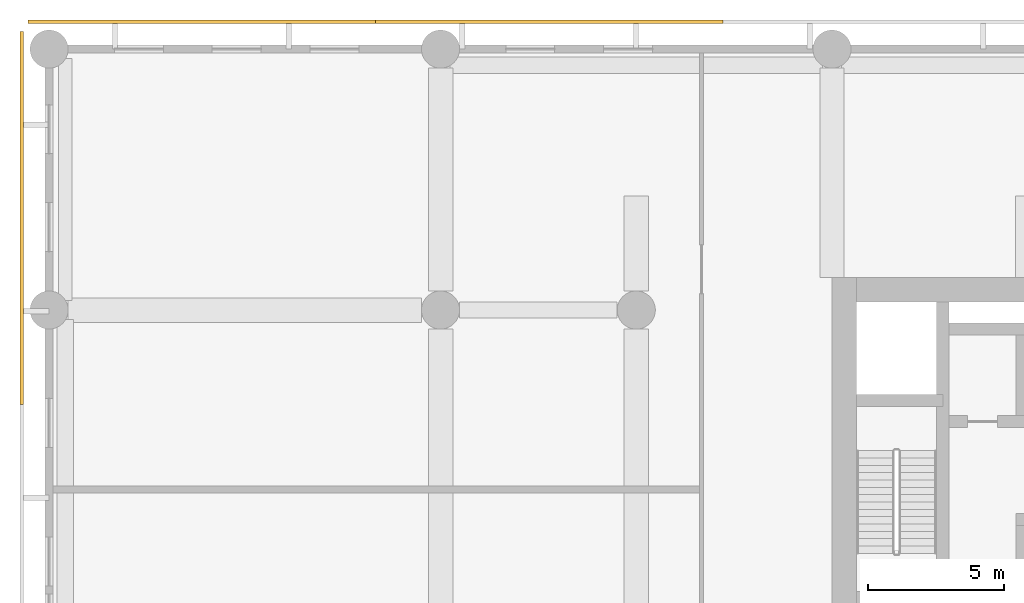
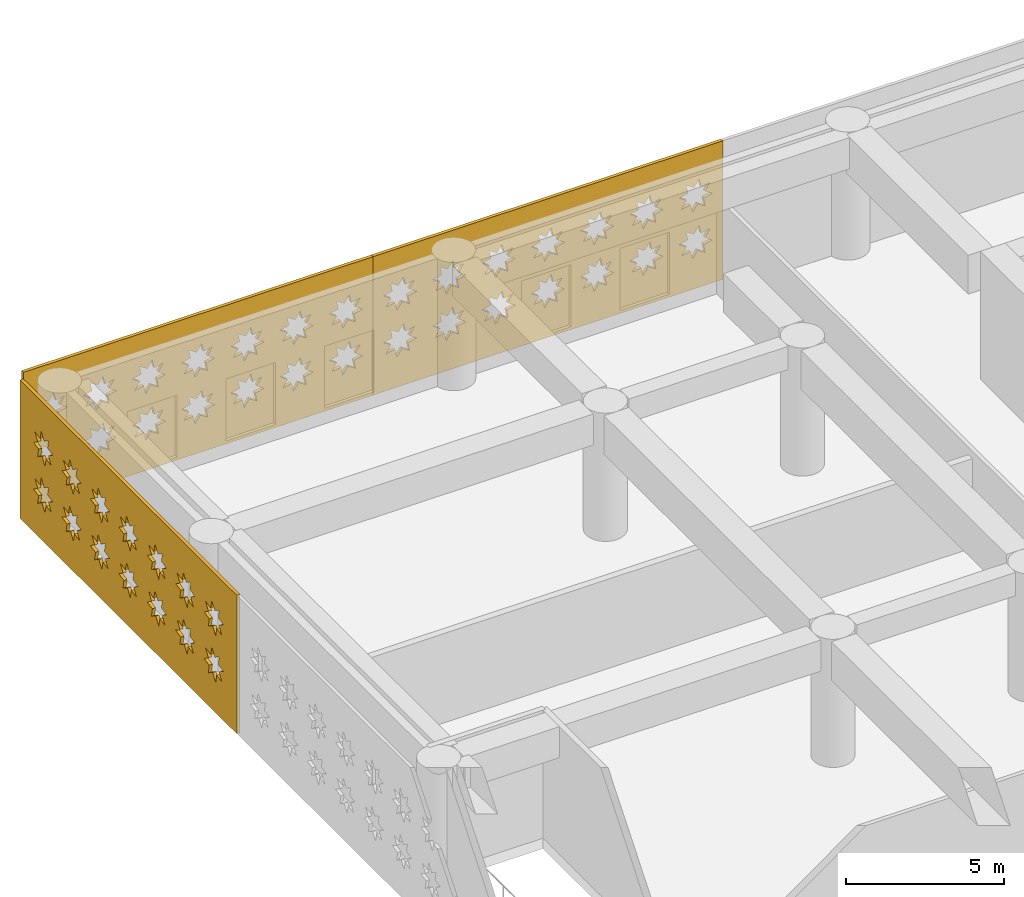
# One storey, part 21 of 24: 3 coverings.
"""IFC4 building model written with IfcOpenShell, lengths in metres."""

from ifc_helpers import new_model, si_unit, direction, frame, origin, place, context, subcontext, project, spatial, polyline, outline, extrude, material, layer, layer_set, type_object, element, save


model = new_model("IFC4")

# Units and contexts
model_context = context("Model", 3, precision=1e-05, world=origin(), true_north=direction((0.0, 1.0)))
body_context = subcontext(model_context, "Body", "Model", "MODEL_VIEW")
ifc_project = project(units=[si_unit("LENGTHUNIT", "METRE"), si_unit("AREAUNIT", "SQUARE_METRE"), si_unit("VOLUMEUNIT", "CUBIC_METRE"), si_unit("PLANEANGLEUNIT", "RADIAN"), si_unit("MASSUNIT", "GRAM", prefix="KILO")], contexts=[model_context])

# Site, building, storey
site_placement = place(None, origin())
site = spatial("IfcSite", under=ifc_project, at=site_placement, CompositionType="ELEMENT")
building_placement = place(site_placement, origin())
building = spatial("IfcBuilding", under=site, at=building_placement, Name="Saffron Iwan Residences", CompositionType="ELEMENT")
storey_placement = place(building_placement, frame((0.0, 0.0, 21.60009765625)))
storey = spatial("IfcBuildingStorey", under=building, at=storey_placement, Name="L04", CompositionType="ELEMENT", Elevation=21.60009765625)

# Coverings
ifc_material = material(Name="Terracotta screen, precast concrete C40/50", Category="masonry")
ifc_layer = layer(ifc_material, 0.1201171875)
ifc_layer_set = layer_set([ifc_layer], Name="Terracotta screen, precast concrete C40/50")
covering_type = type_object("IfcCoveringType", Name="PODIUM SCREEN GIRIH", PredefinedType="CLADDING", material=ifc_layer_set)
covering_1_placement = place(storey_placement, frame((24.784912109375, 87.35009765625, -0.400146484375), z_axis=(0.0, 1.0, 0.0), x_axis=(-1.0, 0.0, 0.0)))
element("IfcCovering", 1, at=covering_1_placement, inside=storey, type_object=covering_type, Name="SCREEN girih terracotta L04 F2.6", PredefinedType="CLADDING", context=body_context, shape_type="SweptSolid", body=[
    extrude(outline(polyline([(0.0, 0.0), (12.777587890625, 0.0), (12.777587890625, 5.35009765625), (0.0, 5.35009765625), (0.0, 0.0)]), holes=[polyline([(1.5966796875, 1.89599609375), (1.271484375, 1.9638671875), (1.333251953125, 2.29052734375), (1.05517578125, 2.1083984375), (0.867919921875, 2.383056640625), (0.7998046875, 2.0576171875), (0.47314453125, 2.119384765625), (0.6552734375, 1.84130859375), (0.380615234375, 1.654052734375), (0.7060546875, 1.586181640625), (0.644287109375, 1.259521484375), (0.92236328125, 1.44140625), (1.109619140625, 1.1669921875), (1.177490234375, 1.4921875), (1.50439453125, 1.430419921875), (1.322265625, 1.708740234375), (1.5966796875, 1.89599609375)]), polyline([(1.5966796875, 3.696044921875), (1.271484375, 3.763916015625), (1.333251953125, 4.090576171875), (1.05517578125, 3.908447265625), (0.867919921875, 4.18310546875), (0.7998046875, 3.857666015625), (0.47314453125, 3.91943359375), (0.6552734375, 3.641357421875), (0.380615234375, 3.4541015625), (0.7060546875, 3.385986328125), (0.644287109375, 3.0595703125), (0.92236328125, 3.241455078125), (1.109619140625, 2.966796875), (1.177490234375, 3.292236328125), (1.50439453125, 3.23046875), (1.322265625, 3.5087890625), (1.5966796875, 3.696044921875)]), polyline([(3.396728515625, 1.89599609375), (3.0712890625, 1.9638671875), (3.13330078125, 2.29052734375), (2.85498046875, 2.1083984375), (2.667724609375, 2.383056640625), (2.599853515625, 2.0576171875), (2.273193359375, 2.119384765625), (2.455322265625, 1.84130859375), (2.1806640625, 1.654052734375), (2.506103515625, 1.586181640625), (2.4443359375, 1.259521484375), (2.722412109375, 1.44140625), (2.90966796875, 1.1669921875), (2.9775390625, 1.4921875), (3.30419921875, 1.430419921875), (3.122314453125, 1.708740234375), (3.396728515625, 1.89599609375)]), polyline([(3.396728515625, 3.696044921875), (3.0712890625, 3.763916015625), (3.13330078125, 4.090576171875), (2.85498046875, 3.908447265625), (2.667724609375, 4.18310546875), (2.599853515625, 3.857666015625), (2.273193359375, 3.91943359375), (2.455322265625, 3.641357421875), (2.1806640625, 3.4541015625), (2.506103515625, 3.385986328125), (2.4443359375, 3.0595703125), (2.722412109375, 3.241455078125), (2.90966796875, 2.966796875), (2.9775390625, 3.292236328125), (3.30419921875, 3.23046875), (3.122314453125, 3.5087890625), (3.396728515625, 3.696044921875)]), polyline([(5.19677734375, 1.89599609375), (4.871337890625, 1.9638671875), (4.93310546875, 2.29052734375), (4.655029296875, 2.1083984375), (4.4677734375, 2.383056640625), (4.39990234375, 2.0576171875), (4.0732421875, 2.119384765625), (4.25537109375, 1.84130859375), (3.980712890625, 1.654052734375), (4.30615234375, 1.586181640625), (4.244384765625, 1.259521484375), (4.5224609375, 1.44140625), (4.709716796875, 1.1669921875), (4.777587890625, 1.4921875), (5.104248046875, 1.430419921875), (4.922119140625, 1.708740234375), (5.19677734375, 1.89599609375)]), polyline([(5.19677734375, 3.696044921875), (4.871337890625, 3.763916015625), (4.93310546875, 4.090576171875), (4.655029296875, 3.908447265625), (4.4677734375, 4.18310546875), (4.39990234375, 3.857666015625), (4.0732421875, 3.91943359375), (4.25537109375, 3.641357421875), (3.980712890625, 3.4541015625), (4.30615234375, 3.385986328125), (4.244384765625, 3.0595703125), (4.5224609375, 3.241455078125), (4.709716796875, 2.966796875), (4.777587890625, 3.292236328125), (5.104248046875, 3.23046875), (4.922119140625, 3.5087890625), (5.19677734375, 3.696044921875)]), polyline([(6.996826171875, 1.89599609375), (6.67138671875, 1.9638671875), (6.733154296875, 2.29052734375), (6.455078125, 2.1083984375), (6.267822265625, 2.383056640625), (6.199951171875, 2.0576171875), (5.873291015625, 2.119384765625), (6.055419921875, 1.84130859375), (5.78076171875, 1.654052734375), (6.106201171875, 1.586181640625), (6.044189453125, 1.259521484375), (6.322509765625, 1.44140625), (6.509765625, 1.1669921875), (6.57763671875, 1.4921875), (6.904296875, 1.430419921875), (6.72216796875, 1.708740234375), (6.996826171875, 1.89599609375)]), polyline([(6.996826171875, 3.696044921875), (6.67138671875, 3.763916015625), (6.733154296875, 4.090576171875), (6.455078125, 3.908447265625), (6.267822265625, 4.18310546875), (6.199951171875, 3.857666015625), (5.873291015625, 3.91943359375), (6.055419921875, 3.641357421875), (5.78076171875, 3.4541015625), (6.106201171875, 3.385986328125), (6.044189453125, 3.0595703125), (6.322509765625, 3.241455078125), (6.509765625, 2.966796875), (6.57763671875, 3.292236328125), (6.904296875, 3.23046875), (6.72216796875, 3.5087890625), (6.996826171875, 3.696044921875)]), polyline([(8.796875, 1.89599609375), (8.471435546875, 1.9638671875), (8.533203125, 2.29052734375), (8.255126953125, 2.1083984375), (8.06787109375, 2.383056640625), (8.0, 2.0576171875), (7.673095703125, 2.119384765625), (7.855224609375, 1.84130859375), (7.580810546875, 1.654052734375), (7.906005859375, 1.586181640625), (7.84423828125, 1.259521484375), (8.122314453125, 1.44140625), (8.309814453125, 1.1669921875), (8.377685546875, 1.4921875), (8.704345703125, 1.430419921875), (8.522216796875, 1.708740234375), (8.796875, 1.89599609375)]), polyline([(8.796875, 3.696044921875), (8.471435546875, 3.763916015625), (8.533203125, 4.090576171875), (8.255126953125, 3.908447265625), (8.06787109375, 4.18310546875), (8.0, 3.857666015625), (7.673095703125, 3.91943359375), (7.855224609375, 3.641357421875), (7.580810546875, 3.4541015625), (7.906005859375, 3.385986328125), (7.84423828125, 3.0595703125), (8.122314453125, 3.241455078125), (8.309814453125, 2.966796875), (8.377685546875, 3.292236328125), (8.704345703125, 3.23046875), (8.522216796875, 3.5087890625), (8.796875, 3.696044921875)]), polyline([(10.5966796875, 1.89599609375), (10.271484375, 1.9638671875), (10.333251953125, 2.29052734375), (10.05517578125, 2.1083984375), (9.867919921875, 2.383056640625), (9.7998046875, 2.0576171875), (9.47314453125, 2.119384765625), (9.6552734375, 1.84130859375), (9.380615234375, 1.654052734375), (9.7060546875, 1.586181640625), (9.644287109375, 1.259521484375), (9.92236328125, 1.44140625), (10.109619140625, 1.1669921875), (10.177490234375, 1.4921875), (10.50439453125, 1.430419921875), (10.322265625, 1.708740234375), (10.5966796875, 1.89599609375)]), polyline([(10.5966796875, 3.696044921875), (10.271484375, 3.763916015625), (10.333251953125, 4.090576171875), (10.05517578125, 3.908447265625), (9.867919921875, 4.18310546875), (9.7998046875, 3.857666015625), (9.47314453125, 3.91943359375), (9.6552734375, 3.641357421875), (9.380615234375, 3.4541015625), (9.7060546875, 3.385986328125), (9.644287109375, 3.0595703125), (9.92236328125, 3.241455078125), (10.109619140625, 2.966796875), (10.177490234375, 3.292236328125), (10.50439453125, 3.23046875), (10.322265625, 3.5087890625), (10.5966796875, 3.696044921875)]), polyline([(12.396728515625, 1.89599609375), (12.0712890625, 1.9638671875), (12.13330078125, 2.29052734375), (11.85498046875, 2.1083984375), (11.667724609375, 2.383056640625), (11.599853515625, 2.0576171875), (11.273193359375, 2.119384765625), (11.455322265625, 1.84130859375), (11.1806640625, 1.654052734375), (11.506103515625, 1.586181640625), (11.4443359375, 1.259521484375), (11.722412109375, 1.44140625), (11.90966796875, 1.1669921875), (11.9775390625, 1.4921875), (12.30419921875, 1.430419921875), (12.122314453125, 1.708740234375), (12.396728515625, 1.89599609375)]), polyline([(12.396728515625, 3.696044921875), (12.0712890625, 3.763916015625), (12.13330078125, 4.090576171875), (11.85498046875, 3.908447265625), (11.667724609375, 4.18310546875), (11.599853515625, 3.857666015625), (11.273193359375, 3.91943359375), (11.455322265625, 3.641357421875), (11.1806640625, 3.4541015625), (11.506103515625, 3.385986328125), (11.4443359375, 3.0595703125), (11.722412109375, 3.241455078125), (11.90966796875, 2.966796875), (11.9775390625, 3.292236328125), (12.30419921875, 3.23046875), (12.122314453125, 3.5087890625), (12.396728515625, 3.696044921875)])]), origin(), (0.0, 0.0, 1.0), 0.119873046875),
])
covering_2_placement = place(storey_placement, frame((12.007568359375, 87.35009765625, -0.400146484375), z_axis=(0.0, 1.0, 0.0), x_axis=(-1.0, 0.0, 0.0)))
element("IfcCovering", 2, at=covering_2_placement, inside=storey, type_object=covering_type, Name="SCREEN girih terracotta L04 F2.7", PredefinedType="CLADDING", context=body_context, shape_type="SweptSolid", body=[
    extrude(outline(polyline([(0.0, 0.0), (12.777587890625, 0.0), (12.777587890625, 5.35009765625), (0.0, 5.35009765625), (0.0, 0.0)]), holes=[polyline([(1.5966796875, 1.89599609375), (1.271484375, 1.9638671875), (1.333251953125, 2.29052734375), (1.05517578125, 2.1083984375), (0.867919921875, 2.383056640625), (0.7998046875, 2.0576171875), (0.47314453125, 2.119384765625), (0.6552734375, 1.84130859375), (0.380615234375, 1.654052734375), (0.7060546875, 1.586181640625), (0.644287109375, 1.259521484375), (0.92236328125, 1.44140625), (1.109619140625, 1.1669921875), (1.177490234375, 1.4921875), (1.50439453125, 1.430419921875), (1.322265625, 1.708740234375), (1.5966796875, 1.89599609375)]), polyline([(1.5966796875, 3.696044921875), (1.271484375, 3.763916015625), (1.333251953125, 4.090576171875), (1.05517578125, 3.908447265625), (0.867919921875, 4.18310546875), (0.7998046875, 3.857666015625), (0.47314453125, 3.91943359375), (0.6552734375, 3.641357421875), (0.380615234375, 3.4541015625), (0.7060546875, 3.385986328125), (0.644287109375, 3.0595703125), (0.92236328125, 3.241455078125), (1.109619140625, 2.966796875), (1.177490234375, 3.292236328125), (1.50439453125, 3.23046875), (1.322265625, 3.5087890625), (1.5966796875, 3.696044921875)]), polyline([(3.396728515625, 1.89599609375), (3.0712890625, 1.9638671875), (3.13330078125, 2.29052734375), (2.85498046875, 2.1083984375), (2.667724609375, 2.383056640625), (2.599853515625, 2.0576171875), (2.273193359375, 2.119384765625), (2.455322265625, 1.84130859375), (2.1806640625, 1.654052734375), (2.506103515625, 1.586181640625), (2.4443359375, 1.259521484375), (2.722412109375, 1.44140625), (2.90966796875, 1.1669921875), (2.9775390625, 1.4921875), (3.30419921875, 1.430419921875), (3.122314453125, 1.708740234375), (3.396728515625, 1.89599609375)]), polyline([(3.396728515625, 3.696044921875), (3.0712890625, 3.763916015625), (3.13330078125, 4.090576171875), (2.85498046875, 3.908447265625), (2.667724609375, 4.18310546875), (2.599853515625, 3.857666015625), (2.273193359375, 3.91943359375), (2.455322265625, 3.641357421875), (2.1806640625, 3.4541015625), (2.506103515625, 3.385986328125), (2.4443359375, 3.0595703125), (2.722412109375, 3.241455078125), (2.90966796875, 2.966796875), (2.9775390625, 3.292236328125), (3.30419921875, 3.23046875), (3.122314453125, 3.5087890625), (3.396728515625, 3.696044921875)]), polyline([(5.19677734375, 1.89599609375), (4.871337890625, 1.9638671875), (4.93310546875, 2.29052734375), (4.655029296875, 2.1083984375), (4.4677734375, 2.383056640625), (4.39990234375, 2.0576171875), (4.0732421875, 2.119384765625), (4.25537109375, 1.84130859375), (3.980712890625, 1.654052734375), (4.30615234375, 1.586181640625), (4.244384765625, 1.259521484375), (4.5224609375, 1.44140625), (4.709716796875, 1.1669921875), (4.777587890625, 1.4921875), (5.104248046875, 1.430419921875), (4.922119140625, 1.708740234375), (5.19677734375, 1.89599609375)]), polyline([(5.19677734375, 3.696044921875), (4.871337890625, 3.763916015625), (4.93310546875, 4.090576171875), (4.655029296875, 3.908447265625), (4.4677734375, 4.18310546875), (4.39990234375, 3.857666015625), (4.0732421875, 3.91943359375), (4.25537109375, 3.641357421875), (3.980712890625, 3.4541015625), (4.30615234375, 3.385986328125), (4.244384765625, 3.0595703125), (4.5224609375, 3.241455078125), (4.709716796875, 2.966796875), (4.777587890625, 3.292236328125), (5.104248046875, 3.23046875), (4.922119140625, 3.5087890625), (5.19677734375, 3.696044921875)]), polyline([(6.996826171875, 1.89599609375), (6.67138671875, 1.9638671875), (6.733154296875, 2.29052734375), (6.455078125, 2.1083984375), (6.267822265625, 2.383056640625), (6.199951171875, 2.0576171875), (5.873291015625, 2.119384765625), (6.055419921875, 1.84130859375), (5.78076171875, 1.654052734375), (6.106201171875, 1.586181640625), (6.044189453125, 1.259521484375), (6.322509765625, 1.44140625), (6.509765625, 1.1669921875), (6.57763671875, 1.4921875), (6.904296875, 1.430419921875), (6.72216796875, 1.708740234375), (6.996826171875, 1.89599609375)]), polyline([(6.996826171875, 3.696044921875), (6.67138671875, 3.763916015625), (6.733154296875, 4.090576171875), (6.455078125, 3.908447265625), (6.267822265625, 4.18310546875), (6.199951171875, 3.857666015625), (5.873291015625, 3.91943359375), (6.055419921875, 3.641357421875), (5.78076171875, 3.4541015625), (6.106201171875, 3.385986328125), (6.044189453125, 3.0595703125), (6.322509765625, 3.241455078125), (6.509765625, 2.966796875), (6.57763671875, 3.292236328125), (6.904296875, 3.23046875), (6.72216796875, 3.5087890625), (6.996826171875, 3.696044921875)]), polyline([(8.796875, 1.89599609375), (8.471435546875, 1.9638671875), (8.533203125, 2.29052734375), (8.255126953125, 2.1083984375), (8.06787109375, 2.383056640625), (8.0, 2.0576171875), (7.673095703125, 2.119384765625), (7.855224609375, 1.84130859375), (7.580810546875, 1.654052734375), (7.906005859375, 1.586181640625), (7.84423828125, 1.259521484375), (8.122314453125, 1.44140625), (8.309814453125, 1.1669921875), (8.377685546875, 1.4921875), (8.704345703125, 1.430419921875), (8.522216796875, 1.708740234375), (8.796875, 1.89599609375)]), polyline([(8.796875, 3.696044921875), (8.471435546875, 3.763916015625), (8.533203125, 4.090576171875), (8.255126953125, 3.908447265625), (8.06787109375, 4.18310546875), (8.0, 3.857666015625), (7.673095703125, 3.91943359375), (7.855224609375, 3.641357421875), (7.580810546875, 3.4541015625), (7.906005859375, 3.385986328125), (7.84423828125, 3.0595703125), (8.122314453125, 3.241455078125), (8.309814453125, 2.966796875), (8.377685546875, 3.292236328125), (8.704345703125, 3.23046875), (8.522216796875, 3.5087890625), (8.796875, 3.696044921875)]), polyline([(10.5966796875, 1.89599609375), (10.271484375, 1.9638671875), (10.333251953125, 2.29052734375), (10.05517578125, 2.1083984375), (9.867919921875, 2.383056640625), (9.7998046875, 2.0576171875), (9.47314453125, 2.119384765625), (9.6552734375, 1.84130859375), (9.380615234375, 1.654052734375), (9.7060546875, 1.586181640625), (9.644287109375, 1.259521484375), (9.92236328125, 1.44140625), (10.109619140625, 1.1669921875), (10.177490234375, 1.4921875), (10.50439453125, 1.430419921875), (10.322265625, 1.708740234375), (10.5966796875, 1.89599609375)]), polyline([(10.5966796875, 3.696044921875), (10.271484375, 3.763916015625), (10.333251953125, 4.090576171875), (10.05517578125, 3.908447265625), (9.867919921875, 4.18310546875), (9.7998046875, 3.857666015625), (9.47314453125, 3.91943359375), (9.6552734375, 3.641357421875), (9.380615234375, 3.4541015625), (9.7060546875, 3.385986328125), (9.644287109375, 3.0595703125), (9.92236328125, 3.241455078125), (10.109619140625, 2.966796875), (10.177490234375, 3.292236328125), (10.50439453125, 3.23046875), (10.322265625, 3.5087890625), (10.5966796875, 3.696044921875)]), polyline([(12.396728515625, 1.89599609375), (12.0712890625, 1.9638671875), (12.13330078125, 2.29052734375), (11.85498046875, 2.1083984375), (11.667724609375, 2.383056640625), (11.599853515625, 2.0576171875), (11.273193359375, 2.119384765625), (11.455322265625, 1.84130859375), (11.1806640625, 1.654052734375), (11.506103515625, 1.586181640625), (11.4443359375, 1.259521484375), (11.722412109375, 1.44140625), (11.90966796875, 1.1669921875), (11.9775390625, 1.4921875), (12.30419921875, 1.430419921875), (12.122314453125, 1.708740234375), (12.396728515625, 1.89599609375)]), polyline([(12.396728515625, 3.696044921875), (12.0712890625, 3.763916015625), (12.13330078125, 4.090576171875), (11.85498046875, 3.908447265625), (11.667724609375, 4.18310546875), (11.599853515625, 3.857666015625), (11.273193359375, 3.91943359375), (11.455322265625, 3.641357421875), (11.1806640625, 3.4541015625), (11.506103515625, 3.385986328125), (11.4443359375, 3.0595703125), (11.722412109375, 3.241455078125), (11.90966796875, 2.966796875), (11.9775390625, 3.292236328125), (12.30419921875, 3.23046875), (12.122314453125, 3.5087890625), (12.396728515625, 3.696044921875)])]), origin(), (0.0, 0.0, 1.0), 0.119873046875),
])
covering_3_placement = place(storey_placement, frame((-0.949951171875, 87.050048828125, -0.400146484375), z_axis=(-1.0, 0.0, 0.0), x_axis=(0.0, -1.0, 0.0)))
element("IfcCovering", 3, at=covering_3_placement, inside=storey, type_object=covering_type, Name="SCREEN girih terracotta L04 F3.0", PredefinedType="CLADDING", context=body_context, shape_type="SweptSolid", body=[
    extrude(outline(polyline([(0.0, 0.0), (13.72412109375, 0.0), (13.72412109375, 5.35009765625), (0.0, 5.35009765625), (0.0, 0.0)]), holes=[polyline([(2.070068359375, 1.89599609375), (1.74462890625, 1.9638671875), (1.806396484375, 2.29052734375), (1.5283203125, 2.1083984375), (1.341064453125, 2.383056640625), (1.273193359375, 2.0576171875), (0.946533203125, 2.119384765625), (1.12841796875, 1.84130859375), (0.85400390625, 1.654052734375), (1.17919921875, 1.586181640625), (1.117431640625, 1.259521484375), (1.395751953125, 1.44140625), (1.5830078125, 1.1669921875), (1.65087890625, 1.4921875), (1.9775390625, 1.430419921875), (1.79541015625, 1.708740234375), (2.070068359375, 1.89599609375)]), polyline([(2.070068359375, 3.696044921875), (1.74462890625, 3.763916015625), (1.806396484375, 4.090576171875), (1.5283203125, 3.908447265625), (1.341064453125, 4.18310546875), (1.273193359375, 3.857666015625), (0.946533203125, 3.91943359375), (1.12841796875, 3.641357421875), (0.85400390625, 3.4541015625), (1.17919921875, 3.385986328125), (1.117431640625, 3.0595703125), (1.395751953125, 3.241455078125), (1.5830078125, 2.966796875), (1.65087890625, 3.292236328125), (1.9775390625, 3.23046875), (1.79541015625, 3.5087890625), (2.070068359375, 3.696044921875)]), polyline([(3.8701171875, 1.89599609375), (3.544677734375, 1.9638671875), (3.6064453125, 2.29052734375), (3.328369140625, 2.1083984375), (3.14111328125, 2.383056640625), (3.072998046875, 2.0576171875), (2.74658203125, 2.119384765625), (2.928466796875, 1.84130859375), (2.65380859375, 1.654052734375), (2.979248046875, 1.586181640625), (2.91748046875, 1.259521484375), (3.19580078125, 1.44140625), (3.383056640625, 1.1669921875), (3.450927734375, 1.4921875), (3.777587890625, 1.430419921875), (3.595458984375, 1.708740234375), (3.8701171875, 1.89599609375)]), polyline([(3.8701171875, 3.696044921875), (3.544677734375, 3.763916015625), (3.6064453125, 4.090576171875), (3.328369140625, 3.908447265625), (3.14111328125, 4.18310546875), (3.072998046875, 3.857666015625), (2.74658203125, 3.91943359375), (2.928466796875, 3.641357421875), (2.65380859375, 3.4541015625), (2.979248046875, 3.385986328125), (2.91748046875, 3.0595703125), (3.19580078125, 3.241455078125), (3.383056640625, 2.966796875), (3.450927734375, 3.292236328125), (3.777587890625, 3.23046875), (3.595458984375, 3.5087890625), (3.8701171875, 3.696044921875)]), polyline([(5.670166015625, 1.89599609375), (5.3447265625, 1.9638671875), (5.406494140625, 2.29052734375), (5.12841796875, 2.1083984375), (4.94091796875, 2.383056640625), (4.873046875, 2.0576171875), (4.54638671875, 2.119384765625), (4.728515625, 1.84130859375), (4.453857421875, 1.654052734375), (4.779296875, 1.586181640625), (4.717529296875, 1.259521484375), (4.99560546875, 1.44140625), (5.18310546875, 1.1669921875), (5.2509765625, 1.4921875), (5.577392578125, 1.430419921875), (5.3955078125, 1.708740234375), (5.670166015625, 1.89599609375)]), polyline([(5.670166015625, 3.696044921875), (5.3447265625, 3.763916015625), (5.406494140625, 4.090576171875), (5.12841796875, 3.908447265625), (4.94091796875, 4.18310546875), (4.873046875, 3.857666015625), (4.54638671875, 3.91943359375), (4.728515625, 3.641357421875), (4.453857421875, 3.4541015625), (4.779296875, 3.385986328125), (4.717529296875, 3.0595703125), (4.99560546875, 3.241455078125), (5.18310546875, 2.966796875), (5.2509765625, 3.292236328125), (5.577392578125, 3.23046875), (5.3955078125, 3.5087890625), (5.670166015625, 3.696044921875)]), polyline([(7.47021484375, 1.89599609375), (7.144775390625, 1.9638671875), (7.20654296875, 2.29052734375), (6.92822265625, 2.1083984375), (6.740966796875, 2.383056640625), (6.673095703125, 2.0576171875), (6.346435546875, 2.119384765625), (6.528564453125, 1.84130859375), (6.25390625, 1.654052734375), (6.579345703125, 1.586181640625), (6.517578125, 1.259521484375), (6.795654296875, 1.44140625), (6.98291015625, 1.1669921875), (7.05078125, 1.4921875), (7.37744140625, 1.430419921875), (7.195556640625, 1.708740234375), (7.47021484375, 1.89599609375)]), polyline([(7.47021484375, 3.696044921875), (7.144775390625, 3.763916015625), (7.20654296875, 4.090576171875), (6.92822265625, 3.908447265625), (6.740966796875, 4.18310546875), (6.673095703125, 3.857666015625), (6.346435546875, 3.91943359375), (6.528564453125, 3.641357421875), (6.25390625, 3.4541015625), (6.579345703125, 3.385986328125), (6.517578125, 3.0595703125), (6.795654296875, 3.241455078125), (6.98291015625, 2.966796875), (7.05078125, 3.292236328125), (7.37744140625, 3.23046875), (7.195556640625, 3.5087890625), (7.47021484375, 3.696044921875)]), polyline([(9.27001953125, 1.89599609375), (8.944580078125, 1.9638671875), (9.006591796875, 2.29052734375), (8.728271484375, 2.1083984375), (8.541015625, 2.383056640625), (8.47314453125, 2.0576171875), (8.146484375, 2.119384765625), (8.32861328125, 1.84130859375), (8.053955078125, 1.654052734375), (8.37939453125, 1.586181640625), (8.3173828125, 1.259521484375), (8.595703125, 1.44140625), (8.782958984375, 1.1669921875), (8.850830078125, 1.4921875), (9.177490234375, 1.430419921875), (8.99560546875, 1.708740234375), (9.27001953125, 1.89599609375)]), polyline([(9.27001953125, 3.696044921875), (8.944580078125, 3.763916015625), (9.006591796875, 4.090576171875), (8.728271484375, 3.908447265625), (8.541015625, 4.18310546875), (8.47314453125, 3.857666015625), (8.146484375, 3.91943359375), (8.32861328125, 3.641357421875), (8.053955078125, 3.4541015625), (8.37939453125, 3.385986328125), (8.3173828125, 3.0595703125), (8.595703125, 3.241455078125), (8.782958984375, 2.966796875), (8.850830078125, 3.292236328125), (9.177490234375, 3.23046875), (8.99560546875, 3.5087890625), (9.27001953125, 3.696044921875)]), polyline([(11.070068359375, 1.89599609375), (10.74462890625, 1.9638671875), (10.806396484375, 2.29052734375), (10.5283203125, 2.1083984375), (10.341064453125, 2.383056640625), (10.273193359375, 2.0576171875), (9.946533203125, 2.119384765625), (10.12841796875, 1.84130859375), (9.85400390625, 1.654052734375), (10.17919921875, 1.586181640625), (10.117431640625, 1.259521484375), (10.395751953125, 1.44140625), (10.5830078125, 1.1669921875), (10.65087890625, 1.4921875), (10.9775390625, 1.430419921875), (10.79541015625, 1.708740234375), (11.070068359375, 1.89599609375)]), polyline([(11.070068359375, 3.696044921875), (10.74462890625, 3.763916015625), (10.806396484375, 4.090576171875), (10.5283203125, 3.908447265625), (10.341064453125, 4.18310546875), (10.273193359375, 3.857666015625), (9.946533203125, 3.91943359375), (10.12841796875, 3.641357421875), (9.85400390625, 3.4541015625), (10.17919921875, 3.385986328125), (10.117431640625, 3.0595703125), (10.395751953125, 3.241455078125), (10.5830078125, 2.966796875), (10.65087890625, 3.292236328125), (10.9775390625, 3.23046875), (10.79541015625, 3.5087890625), (11.070068359375, 3.696044921875)]), polyline([(12.8701171875, 1.89599609375), (12.544677734375, 1.9638671875), (12.6064453125, 2.29052734375), (12.328369140625, 2.1083984375), (12.14111328125, 2.383056640625), (12.072998046875, 2.0576171875), (11.74658203125, 2.119384765625), (11.928466796875, 1.84130859375), (11.65380859375, 1.654052734375), (11.979248046875, 1.586181640625), (11.91748046875, 1.259521484375), (12.19580078125, 1.44140625), (12.383056640625, 1.1669921875), (12.450927734375, 1.4921875), (12.777587890625, 1.430419921875), (12.595458984375, 1.708740234375), (12.8701171875, 1.89599609375)]), polyline([(12.8701171875, 3.696044921875), (12.544677734375, 3.763916015625), (12.6064453125, 4.090576171875), (12.328369140625, 3.908447265625), (12.14111328125, 4.18310546875), (12.072998046875, 3.857666015625), (11.74658203125, 3.91943359375), (11.928466796875, 3.641357421875), (11.65380859375, 3.4541015625), (11.979248046875, 3.385986328125), (11.91748046875, 3.0595703125), (12.19580078125, 3.241455078125), (12.383056640625, 2.966796875), (12.450927734375, 3.292236328125), (12.777587890625, 3.23046875), (12.595458984375, 3.5087890625), (12.8701171875, 3.696044921875)])]), origin(), (0.0, 0.0, 1.0), 0.1201171875),
])

save(model, "model.ifc")
